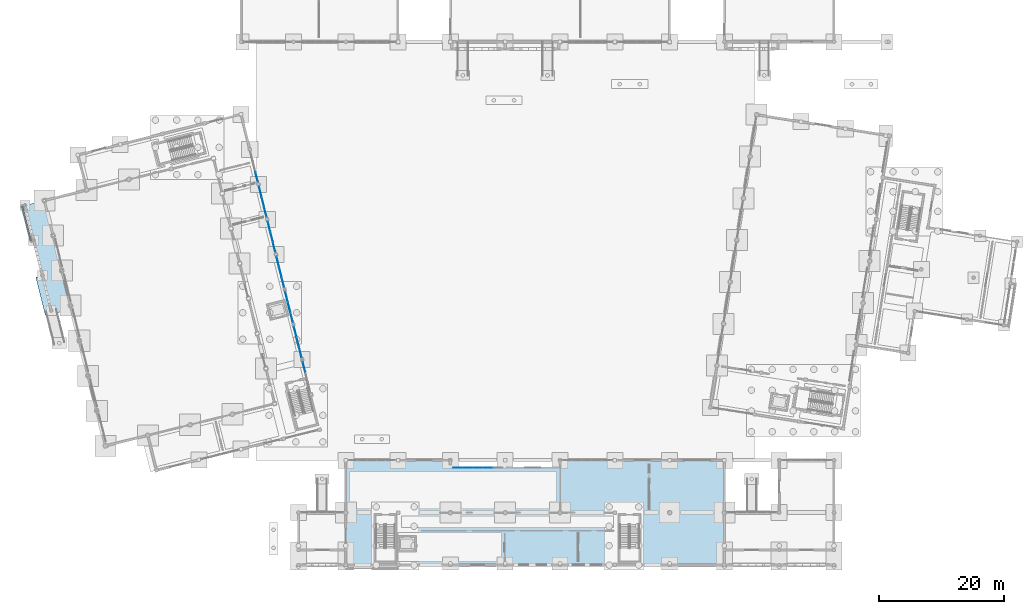
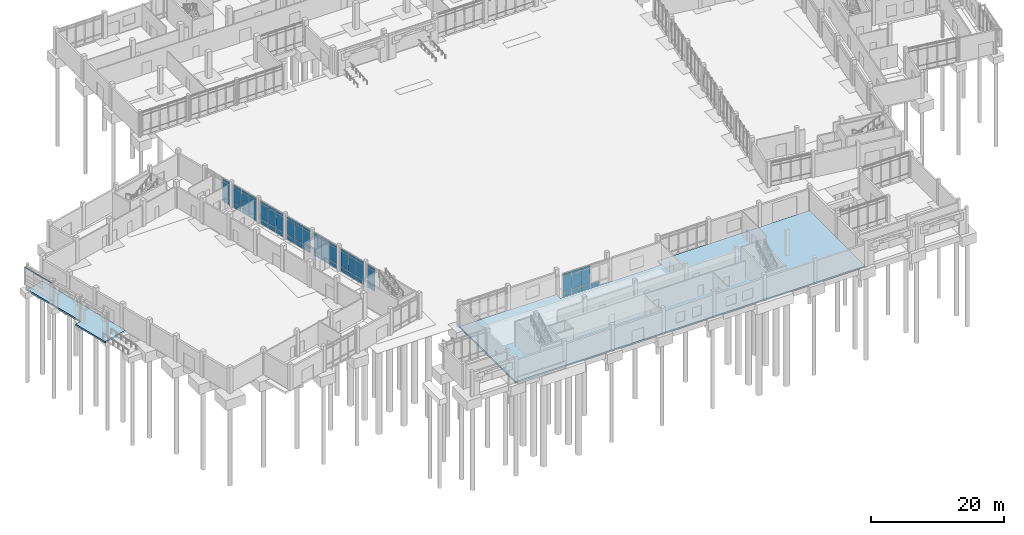
# One storey, part 33 of 72: 62 plates, 2 slabs, 8 elements without a shape of their own.
"""IFC4 building model written with IfcOpenShell, lengths in metres."""

import ifcopenshell
import ifcopenshell.guid

model = None  # the IFC model being written
_history = None  # IfcOwnerHistory: only IFC2X3 demands one
_inside = {}  # id of a spatial element -> (the spatial element, [elements in it])
_under = {}  # id of a project, library or spatial element -> (it, [spatial elements below it])
_declared = {}  # id of a project -> (the project, [libraries it declares])
_typed = {}  # id of a type object -> (the type object, [elements of that type])
_made_of = {}  # id of a material, layer set ... -> (it, [elements and type objects made of it])


def new_model(schema):
    """Start an empty IFC model of exactly this schema.

    Asked for "IFC4X3", IfcOpenShell would pick the latest addendum, in which some entities
    have other attributes; the version numbers below select the first issue.
    IFC2X3 requires an IfcOwnerHistory on every rooted entity: one is made here for all.
    """
    global model, _history
    if schema == "IFC4X3":
        model = ifcopenshell.file(schema_version=(4, 3, 0, 0))
    else:
        model = ifcopenshell.file(schema=schema)
    _inside.clear()
    _under.clear()
    _declared.clear()
    _typed.clear()
    _made_of.clear()
    _history = None
    if model.schema == "IFC2X3":
        org = make("IfcOrganization", Name="unknown")
        user = make(
            "IfcPersonAndOrganization",
            ThePerson=make("IfcPerson", FamilyName="unknown"),
            TheOrganization=org,
        )
        app = make(
            "IfcApplication",
            ApplicationDeveloper=org,
            Version="unknown",
            ApplicationFullName="unknown",
            ApplicationIdentifier="unknown",
        )
        _history = make(
            "IfcOwnerHistory",
            OwningUser=user,
            OwningApplication=app,
            ChangeAction="ADDED",
            CreationDate=0,
        )
    return model


def make(cls, **values):
    """One entity of the class cls with the attributes given. An attribute that is None is left unset."""
    return model.create_entity(
        cls, **{name: value for name, value in values.items() if value is not None}
    )


def rooted(cls, **values):
    """An entity with a GlobalId (a new one), such as an element, a storey or a relation."""
    return make(cls, GlobalId=ifcopenshell.guid.new(), OwnerHistory=_history, **values)


def si_unit(unit_type, name, prefix=None):
    """IfcSIUnit, for example si_unit("LENGTHUNIT", "METRE", prefix="MILLI")."""
    return make("IfcSIUnit", UnitType=unit_type, Prefix=prefix, Name=name)


def assignment(units):
    """IfcUnitAssignment: the units of a project."""
    return None if units is None else make("IfcUnitAssignment", Units=units)


def point(xyz):
    """IfcCartesianPoint."""
    return None if xyz is None else make("IfcCartesianPoint", Coordinates=xyz)


def direction(xyz):
    """IfcDirection."""
    return None if xyz is None else make("IfcDirection", DirectionRatios=xyz)


def frame(location, z_axis=None, x_axis=None):
    """IfcAxis2Placement3D, a coordinate frame: its origin and axes. An axis left out is left unset."""
    return make(
        "IfcAxis2Placement3D",
        Location=point(location),
        Axis=direction(z_axis),
        RefDirection=direction(x_axis),
    )


def frame_2d(location, x_axis=None):
    """IfcAxis2Placement2D, a coordinate frame in the plane: its origin and x axis."""
    return make(
        "IfcAxis2Placement2D", Location=point(location), RefDirection=direction(x_axis)
    )


def origin():
    """The frame at (0, 0, 0) with its axes left unset."""
    return frame((0.0, 0.0, 0.0))


def origin_2d():
    """The frame at (0, 0) in the plane with its x axis left unset."""
    return frame_2d((0.0, 0.0))


def place(relative_to, where):
    """IfcLocalPlacement: puts the frame where relative to a parent placement (None: the world)."""
    return make(
        "IfcLocalPlacement", PlacementRelTo=relative_to, RelativePlacement=where
    )


def context(
    kind, dimensions, precision=None, world=None, true_north=None, identifier=None
):
    """IfcGeometricRepresentationContext, for example the 3D "Model" context."""
    return make(
        "IfcGeometricRepresentationContext",
        ContextIdentifier=identifier,
        ContextType=kind,
        CoordinateSpaceDimension=dimensions,
        Precision=precision,
        WorldCoordinateSystem=world,
        TrueNorth=true_north,
    )


def subcontext(parent, identifier, kind, view, scale=None):
    """IfcGeometricRepresentationSubContext, for example "Body" below "Model"."""
    return make(
        "IfcGeometricRepresentationSubContext",
        ContextIdentifier=identifier,
        ContextType=kind,
        ParentContext=parent,
        TargetScale=scale,
        TargetView=view,
    )


def project(units=None, contexts=None):
    """IfcProject with its units and contexts."""
    return rooted(
        "IfcProject",
        Name="project",
        RepresentationContexts=contexts,
        UnitsInContext=assignment(units),
    )


def spatial(cls, under=None, at=None, **own):
    """A site, building, storey or space (cls), placed at a placement, below another one or the project."""
    s = rooted(cls, ObjectPlacement=at, **own)
    if under is not None:
        _under.setdefault(under.id(), (under, []))[1].append(s)
    return s


def polyline(points):
    """IfcPolyline through the points."""
    return make("IfcPolyline", Points=[point(p) for p in points])


def profile(cls, at=None, kind="AREA", **sizes):
    """A parametric profile (cls). Its sizes go by their IFC names, for example OverallWidth=200.0."""
    return make(cls, ProfileType=kind, Position=at, **sizes)


def rectangle(**sizes):
    """IfcRectangleProfileDef."""
    return profile("IfcRectangleProfileDef", **sizes)


def outline(outer, holes=None, kind="AREA"):
    """IfcArbitraryClosedProfileDef: a profile drawn as a closed curve; with holes, ...WithVoids."""
    if holes is None:
        return make("IfcArbitraryClosedProfileDef", ProfileType=kind, OuterCurve=outer)
    return make(
        "IfcArbitraryProfileDefWithVoids",
        ProfileType=kind,
        OuterCurve=outer,
        InnerCurves=holes,
    )


def extrude(swept, where, along, depth):
    """IfcExtrudedAreaSolid: the profile swept, set in the frame where, extruded along a direction by depth."""
    return make(
        "IfcExtrudedAreaSolid",
        SweptArea=swept,
        Position=where,
        ExtrudedDirection=direction(along),
        Depth=depth,
    )


def shape(context_of_items, identifier, shape_type, items):
    """IfcShapeRepresentation: the items that make up one representation, for example the "Body"."""
    return make(
        "IfcShapeRepresentation",
        ContextOfItems=context_of_items,
        RepresentationIdentifier=identifier,
        RepresentationType=shape_type,
        Items=items,
    )


def material(Name=None, Category=None):
    """IfcMaterial."""
    return make("IfcMaterial", Name=Name, Category=Category)


def layer(
    of_material, thickness, ventilated=None, Name=None, Category=None, Priority=None
):
    """IfcMaterialLayer: one layer of a wall or slab, of a material (None: an air gap)."""
    return make(
        "IfcMaterialLayer",
        Material=of_material,
        LayerThickness=thickness,
        IsVentilated=ventilated,
        Name=Name,
        Category=Category,
        Priority=Priority,
    )


def layer_set(layers, Name=None):
    """IfcMaterialLayerSet."""
    return make("IfcMaterialLayerSet", MaterialLayers=layers, LayerSetName=Name)


def made_of(thing, what):
    """Note that an element or type object is made of a material, layer set ...; save() writes the relation."""
    if what is not None:
        _made_of.setdefault(what.id(), (what, []))[1].append(thing)
    return thing


def type_object(cls, material=None, **own):
    """A type object (cls), such as IfcWallType, which elements share."""
    return made_of(rooted(cls, **own), material)


def element(
    cls,
    number,
    at=None,
    inside=None,
    cuts=None,
    type_object=None,
    material=None,
    context=None,
    identifier="Body",
    shape_type=None,
    held_by="IfcProductDefinitionShape",
    body=None,
    shapes=None,
    **own,
):
    """One element of the class cls, such as IfcWall. Its Tag is "e" and its number.

    at: its placement. inside: the storey or other place that contains it. cuts: it is an
    opening in that element (IfcRelVoidsElement). A single representation is given by context,
    identifier, shape_type and body (its items); several are given by shapes. held_by: the class
    of the entity that holds the representations. save() writes the other relations.
    """
    e = rooted(cls, Tag="e%d" % number, ObjectPlacement=at, **own)
    if body is not None:
        shapes = [shape(context, identifier, shape_type, body)]
    if shapes is not None:
        e.Representation = make(held_by, Representations=shapes)
    if inside is not None:
        _inside.setdefault(inside.id(), (inside, []))[1].append(e)
    if cuts is not None:
        rooted(
            "IfcRelVoidsElement", RelatingBuildingElement=cuts, RelatedOpeningElement=e
        )
    if type_object is not None:
        _typed.setdefault(type_object.id(), (type_object, []))[1].append(e)
    return made_of(e, material)


def aggregate(whole, parts):
    """IfcRelAggregates: a whole, such as a stair, and the parts it consists of."""
    return rooted("IfcRelAggregates", RelatingObject=whole, RelatedObjects=parts)


def save(model, path):
    """Write the relations noted so far, then the file.

    IfcRelAggregates (storeys below a building ...), IfcRelContainedInSpatialStructure (elements
    in a storey), IfcRelDefinesByType, IfcRelAssociatesMaterial and IfcRelDeclares: one each for
    every whole, place, type object, material and project.
    """
    for whole, parts in _under.values():
        aggregate(whole, parts)
    for where, things in _inside.values():
        rooted(
            "IfcRelContainedInSpatialStructure",
            RelatedElements=things,
            RelatingStructure=where,
        )
    for kind, things in _typed.values():
        rooted("IfcRelDefinesByType", RelatedObjects=things, RelatingType=kind)
    for what, things in _made_of.values():
        rooted("IfcRelAssociatesMaterial", RelatedObjects=things, RelatingMaterial=what)
    for by, libraries in _declared.values():
        rooted("IfcRelDeclares", RelatingContext=by, RelatedDefinitions=libraries)
    model.write(path)


model = new_model("IFC4")

# Units and contexts
model_context = context("Model", 3, precision=1e-05, world=origin(), true_north=direction((0.0, 1.0)))
body_context = subcontext(model_context, "Body", "Model", "MODEL_VIEW")
ifc_project = project(units=[si_unit("LENGTHUNIT", "METRE"), si_unit("AREAUNIT", "SQUARE_METRE"), si_unit("VOLUMEUNIT", "CUBIC_METRE"), si_unit("PLANEANGLEUNIT", "RADIAN"), si_unit("MASSUNIT", "GRAM", prefix="KILO")], contexts=[model_context])

# Site, building, storey
site_placement = place(None, origin())
site = spatial("IfcSite", under=ifc_project, at=site_placement, CompositionType="ELEMENT")
building_placement = place(site_placement, origin())
building = spatial("IfcBuilding", under=site, at=building_placement, Name="Cinderway Yard Community Centre", CompositionType="ELEMENT")
storey_placement = place(building_placement, origin())
storey = spatial("IfcBuildingStorey", under=building, at=storey_placement, Name="L00", CompositionType="ELEMENT", Elevation=0.0)

# Curtain wall, plates
ifc_material_1 = material(Name="Aluminium 6063-T6", Category="aluminium")
curtain_wall_type_1 = type_object("IfcCurtainWallType", Name="ENV-CW-TYPE-01", PredefinedType="USERDEFINED", material=ifc_material_1)
curtain_wall_1_placement = place(storey_placement, origin())
curtain_wall_1 = element("IfcCurtainWall", 1, at=curtain_wall_1_placement, inside=storey, type_object=curtain_wall_type_1, Name="Main Hall Courtyard Curtain Wall ENV-CW-L00-HS-0001", ObjectType="GLAZED CURTAIN WALL", PredefinedType="USERDEFINED")
ifc_material_2 = material(Name="Laminated Low-E Glass", Category="glass")
ifc_layer_1 = layer(ifc_material_2, 0.031982421875, Name="Laminated Low-E Glass")
ifc_layer_set_1 = layer_set([ifc_layer_1], Name="Laminated Low-E Glass")
plate_type_1 = type_object("IfcPlateType", Name="ENV-CW-PAN-IGU32", PredefinedType="CURTAIN_PANEL", material=ifc_layer_set_1)
plate_1_placement = place(storey_placement, frame((51.69140625, 37.78466796875, 0.06005859375), z_axis=(0.0, 0.0, 1.0), x_axis=(-0.241887234827, 0.97030436752, 0.0)))
plate_1 = element("IfcPlate", 2, at=plate_1_placement, type_object=plate_type_1, Name="CW-01 panel 3.1", PredefinedType="CURTAIN_PANEL", context=body_context, shape_type="SweptSolid", body=[
    extrude(rectangle(XDim=1.603515625, YDim=0.028076171875, at=origin_2d()), origin(), (0.0, 0.0, 1.0), 0.81005859375),
])
plate_2_placement = place(storey_placement, frame((51.69140625, 37.78466796875, 0.93017578125), z_axis=(0.0, 0.0, 1.0), x_axis=(-0.241887234827, 0.97030436752, 0.0)))
plate_2 = element("IfcPlate", 3, at=plate_2_placement, type_object=plate_type_1, Name="CW-01 panel 3.2", PredefinedType="CURTAIN_PANEL", context=body_context, shape_type="SweptSolid", body=[
    extrude(rectangle(XDim=1.603515625, YDim=0.028076171875, at=origin_2d()), origin(), (0.0, 0.0, 1.0), 2.840087890625),
])
plate_3_placement = place(storey_placement, frame((51.69140625, 37.78466796875, 3.830078125), z_axis=(0.0, 0.0, 1.0), x_axis=(-0.241887234827, 0.97030436752, 0.0)))
plate_3 = element("IfcPlate", 4, at=plate_3_placement, type_object=plate_type_1, Name="CW-01 panel 3.3", PredefinedType="CURTAIN_PANEL", context=body_context, shape_type="SweptSolid", body=[
    extrude(rectangle(XDim=1.603515625, YDim=0.028076171875, at=origin_2d()), origin(), (0.0, 0.0, 1.0), 0.4599609375),
])
aggregate(curtain_wall_1, [plate_1, plate_2, plate_3])

curtain_wall_2_placement = place(storey_placement, origin())
curtain_wall_2 = element("IfcCurtainWall", 5, at=curtain_wall_2_placement, inside=storey, type_object=curtain_wall_type_1, Name="Main Hall Courtyard Curtain Wall ENV-CW-L00-HS-0002", ObjectType="GLAZED CURTAIN WALL", PredefinedType="USERDEFINED")
plate_4_placement = place(storey_placement, frame((51.1005859375, 40.1552734375, 0.06005859375), z_axis=(0.0, 0.0, 1.0), x_axis=(-0.241887234827, 0.97030436752, 0.0)))
plate_4 = element("IfcPlate", 6, at=plate_4_placement, type_object=plate_type_1, Name="CW-01 panel 1.1", PredefinedType="CURTAIN_PANEL", context=body_context, shape_type="SweptSolid", body=[
    extrude(rectangle(XDim=1.603515625, YDim=0.028076171875, at=origin_2d()), origin(), (0.0, 0.0, 1.0), 0.81005859375),
])
plate_5_placement = place(storey_placement, frame((51.1005859375, 40.1552734375, 0.93017578125), z_axis=(0.0, 0.0, 1.0), x_axis=(-0.241887234827, 0.97030436752, 0.0)))
plate_5 = element("IfcPlate", 7, at=plate_5_placement, type_object=plate_type_1, Name="CW-01 panel 1.2", PredefinedType="CURTAIN_PANEL", context=body_context, shape_type="SweptSolid", body=[
    extrude(rectangle(XDim=1.603515625, YDim=0.028076171875, at=origin_2d()), origin(), (0.0, 0.0, 1.0), 2.840087890625),
])
plate_6_placement = place(storey_placement, frame((51.1005859375, 40.1552734375, 3.830078125), z_axis=(0.0, 0.0, 1.0), x_axis=(-0.241887234827, 0.97030436752, 0.0)))
plate_6 = element("IfcPlate", 8, at=plate_6_placement, type_object=plate_type_1, Name="CW-01 panel 1.3", PredefinedType="CURTAIN_PANEL", context=body_context, shape_type="SweptSolid", body=[
    extrude(rectangle(XDim=1.603515625, YDim=0.028076171875, at=origin_2d()), origin(), (0.0, 0.0, 1.0), 0.4599609375),
])
plate_7_placement = place(storey_placement, frame((50.694580078125, 41.783935546875, 0.06005859375), z_axis=(0.0, 0.0, 1.0), x_axis=(-0.241887234827, 0.97030436752, 0.0)))
plate_7 = element("IfcPlate", 9, at=plate_7_placement, type_object=plate_type_1, Name="CW-01 panel 2.1", PredefinedType="CURTAIN_PANEL", context=body_context, shape_type="SweptSolid", body=[
    extrude(rectangle(XDim=1.633544921875, YDim=0.028076171875, at=origin_2d()), origin(), (0.0, 0.0, 1.0), 0.81005859375),
])
plate_8_placement = place(storey_placement, frame((50.694580078125, 41.783935546875, 0.93017578125), z_axis=(0.0, 0.0, 1.0), x_axis=(-0.241887234827, 0.97030436752, 0.0)))
plate_8 = element("IfcPlate", 10, at=plate_8_placement, type_object=plate_type_1, Name="CW-01 panel 2.2", PredefinedType="CURTAIN_PANEL", context=body_context, shape_type="SweptSolid", body=[
    extrude(rectangle(XDim=1.633544921875, YDim=0.028076171875, at=origin_2d()), origin(), (0.0, 0.0, 1.0), 2.840087890625),
])
plate_9_placement = place(storey_placement, frame((50.694580078125, 41.783935546875, 3.830078125), z_axis=(0.0, 0.0, 1.0), x_axis=(-0.241887234827, 0.97030436752, 0.0)))
plate_9 = element("IfcPlate", 11, at=plate_9_placement, type_object=plate_type_1, Name="CW-01 panel 2.3", PredefinedType="CURTAIN_PANEL", context=body_context, shape_type="SweptSolid", body=[
    extrude(rectangle(XDim=1.633544921875, YDim=0.028076171875, at=origin_2d()), origin(), (0.0, 0.0, 1.0), 0.4599609375),
])
plate_10_placement = place(storey_placement, frame((50.28857421875, 43.412841796875, 0.06005859375), z_axis=(0.0, 0.0, 1.0), x_axis=(-0.241887234827, 0.97030436752, 0.0)))
plate_10 = element("IfcPlate", 12, at=plate_10_placement, type_object=plate_type_1, Name="CW-01 panel 3.1", PredefinedType="CURTAIN_PANEL", context=body_context, shape_type="SweptSolid", body=[
    extrude(rectangle(XDim=1.603515625, YDim=0.028076171875, at=origin_2d()), origin(), (0.0, 0.0, 1.0), 0.81005859375),
])
plate_11_placement = place(storey_placement, frame((50.28857421875, 43.412841796875, 0.93017578125), z_axis=(0.0, 0.0, 1.0), x_axis=(-0.241887234827, 0.97030436752, 0.0)))
plate_11 = element("IfcPlate", 13, at=plate_11_placement, type_object=plate_type_1, Name="CW-01 panel 3.2", PredefinedType="CURTAIN_PANEL", context=body_context, shape_type="SweptSolid", body=[
    extrude(rectangle(XDim=1.603515625, YDim=0.028076171875, at=origin_2d()), origin(), (0.0, 0.0, 1.0), 2.840087890625),
])
plate_12_placement = place(storey_placement, frame((50.28857421875, 43.412841796875, 3.830078125), z_axis=(0.0, 0.0, 1.0), x_axis=(-0.241887234827, 0.97030436752, 0.0)))
plate_12 = element("IfcPlate", 14, at=plate_12_placement, type_object=plate_type_1, Name="CW-01 panel 3.3", PredefinedType="CURTAIN_PANEL", context=body_context, shape_type="SweptSolid", body=[
    extrude(rectangle(XDim=1.603515625, YDim=0.028076171875, at=origin_2d()), origin(), (0.0, 0.0, 1.0), 0.4599609375),
])
aggregate(curtain_wall_2, [plate_4, plate_5, plate_6, plate_7, plate_8, plate_9, plate_10, plate_11, plate_12])

curtain_wall_3_placement = place(storey_placement, origin())
curtain_wall_3 = element("IfcCurtainWall", 15, at=curtain_wall_3_placement, inside=storey, type_object=curtain_wall_type_1, Name="Main Hall Courtyard Curtain Wall ENV-CW-L00-HS-0003", ObjectType="GLAZED CURTAIN WALL", PredefinedType="USERDEFINED")
plate_13_placement = place(storey_placement, frame((49.697509765625, 45.782958984375, 0.06005859375), z_axis=(0.0, 0.0, 1.0), x_axis=(-0.241933436991, 0.970292848611, 0.0)))
plate_13 = element("IfcPlate", 16, at=plate_13_placement, type_object=plate_type_1, Name="CW-01 panel 1.1", PredefinedType="CURTAIN_PANEL", context=body_context, shape_type="SweptSolid", body=[
    extrude(rectangle(XDim=1.603271484375, YDim=0.028076171875, at=origin_2d()), origin(), (0.0, 0.0, 1.0), 0.81005859375),
])
plate_14_placement = place(storey_placement, frame((49.697509765625, 45.782958984375, 0.93017578125), z_axis=(0.0, 0.0, 1.0), x_axis=(-0.241933436991, 0.970292848611, 0.0)))
plate_14 = element("IfcPlate", 17, at=plate_14_placement, type_object=plate_type_1, Name="CW-01 panel 1.2", PredefinedType="CURTAIN_PANEL", context=body_context, shape_type="SweptSolid", body=[
    extrude(rectangle(XDim=1.603271484375, YDim=0.028076171875, at=origin_2d()), origin(), (0.0, 0.0, 1.0), 2.840087890625),
])
plate_15_placement = place(storey_placement, frame((49.697509765625, 45.782958984375, 3.830078125), z_axis=(0.0, 0.0, 1.0), x_axis=(-0.241933436991, 0.970292848611, 0.0)))
plate_15 = element("IfcPlate", 18, at=plate_15_placement, type_object=plate_type_1, Name="CW-01 panel 1.3", PredefinedType="CURTAIN_PANEL", context=body_context, shape_type="SweptSolid", body=[
    extrude(rectangle(XDim=1.603271484375, YDim=0.028076171875, at=origin_2d()), origin(), (0.0, 0.0, 1.0), 0.4599609375),
])
plate_16_placement = place(storey_placement, frame((49.29150390625, 47.41162109375, 0.06005859375), z_axis=(0.0, 0.0, 1.0), x_axis=(-0.241933436991, 0.970292848611, 0.0)))
plate_16 = element("IfcPlate", 19, at=plate_16_placement, type_object=plate_type_1, Name="CW-01 panel 2.1", PredefinedType="CURTAIN_PANEL", context=body_context, shape_type="SweptSolid", body=[
    extrude(rectangle(XDim=1.63330078125, YDim=0.028076171875, at=origin_2d()), origin(), (0.0, 0.0, 1.0), 0.81005859375),
])
plate_17_placement = place(storey_placement, frame((49.29150390625, 47.41162109375, 0.93017578125), z_axis=(0.0, 0.0, 1.0), x_axis=(-0.241933436991, 0.970292848611, 0.0)))
plate_17 = element("IfcPlate", 20, at=plate_17_placement, type_object=plate_type_1, Name="CW-01 panel 2.2", PredefinedType="CURTAIN_PANEL", context=body_context, shape_type="SweptSolid", body=[
    extrude(rectangle(XDim=1.63330078125, YDim=0.028076171875, at=origin_2d()), origin(), (0.0, 0.0, 1.0), 2.840087890625),
])
plate_18_placement = place(storey_placement, frame((49.29150390625, 47.41162109375, 3.830078125), z_axis=(0.0, 0.0, 1.0), x_axis=(-0.241933436991, 0.970292848611, 0.0)))
plate_18 = element("IfcPlate", 21, at=plate_18_placement, type_object=plate_type_1, Name="CW-01 panel 2.3", PredefinedType="CURTAIN_PANEL", context=body_context, shape_type="SweptSolid", body=[
    extrude(rectangle(XDim=1.63330078125, YDim=0.028076171875, at=origin_2d()), origin(), (0.0, 0.0, 1.0), 0.4599609375),
])
plate_19_placement = place(storey_placement, frame((48.885498046875, 49.0400390625, 0.06005859375), z_axis=(0.0, 0.0, 1.0), x_axis=(-0.241933436991, 0.970292848611, 0.0)))
plate_19 = element("IfcPlate", 22, at=plate_19_placement, type_object=plate_type_1, Name="CW-01 panel 3.1", PredefinedType="CURTAIN_PANEL", context=body_context, shape_type="SweptSolid", body=[
    extrude(rectangle(XDim=1.603271484375, YDim=0.028076171875, at=origin_2d()), origin(), (0.0, 0.0, 1.0), 0.81005859375),
])
plate_20_placement = place(storey_placement, frame((48.885498046875, 49.0400390625, 0.93017578125), z_axis=(0.0, 0.0, 1.0), x_axis=(-0.241933436991, 0.970292848611, 0.0)))
plate_20 = element("IfcPlate", 23, at=plate_20_placement, type_object=plate_type_1, Name="CW-01 panel 3.2", PredefinedType="CURTAIN_PANEL", context=body_context, shape_type="SweptSolid", body=[
    extrude(rectangle(XDim=1.603271484375, YDim=0.028076171875, at=origin_2d()), origin(), (0.0, 0.0, 1.0), 2.840087890625),
])
plate_21_placement = place(storey_placement, frame((48.885498046875, 49.0400390625, 3.830078125), z_axis=(0.0, 0.0, 1.0), x_axis=(-0.241933436991, 0.970292848611, 0.0)))
plate_21 = element("IfcPlate", 24, at=plate_21_placement, type_object=plate_type_1, Name="CW-01 panel 3.3", PredefinedType="CURTAIN_PANEL", context=body_context, shape_type="SweptSolid", body=[
    extrude(rectangle(XDim=1.603271484375, YDim=0.028076171875, at=origin_2d()), origin(), (0.0, 0.0, 1.0), 0.4599609375),
])
aggregate(curtain_wall_3, [plate_13, plate_14, plate_15, plate_16, plate_17, plate_18, plate_19, plate_20, plate_21])

curtain_wall_4_placement = place(storey_placement, origin())
curtain_wall_4 = element("IfcCurtainWall", 25, at=curtain_wall_4_placement, inside=storey, type_object=curtain_wall_type_1, Name="Main Hall Courtyard Curtain Wall ENV-CW-L00-HS-0004", ObjectType="GLAZED CURTAIN WALL", PredefinedType="USERDEFINED")
plate_22_placement = place(storey_placement, frame((48.29443359375, 51.41015625, 0.06005859375), z_axis=(0.0, 0.0, 1.0), x_axis=(-0.241887234827, 0.97030436752, 0.0)))
plate_22 = element("IfcPlate", 26, at=plate_22_placement, type_object=plate_type_1, Name="CW-01 panel 1.1", PredefinedType="CURTAIN_PANEL", context=body_context, shape_type="SweptSolid", body=[
    extrude(rectangle(XDim=1.603515625, YDim=0.028076171875, at=origin_2d()), origin(), (0.0, 0.0, 1.0), 0.81005859375),
])
plate_23_placement = place(storey_placement, frame((48.29443359375, 51.41015625, 0.93017578125), z_axis=(0.0, 0.0, 1.0), x_axis=(-0.241887234827, 0.97030436752, 0.0)))
plate_23 = element("IfcPlate", 27, at=plate_23_placement, type_object=plate_type_1, Name="CW-01 panel 1.2", PredefinedType="CURTAIN_PANEL", context=body_context, shape_type="SweptSolid", body=[
    extrude(rectangle(XDim=1.603515625, YDim=0.028076171875, at=origin_2d()), origin(), (0.0, 0.0, 1.0), 2.840087890625),
])
plate_24_placement = place(storey_placement, frame((48.29443359375, 51.41015625, 3.830078125), z_axis=(0.0, 0.0, 1.0), x_axis=(-0.241887234827, 0.97030436752, 0.0)))
plate_24 = element("IfcPlate", 28, at=plate_24_placement, type_object=plate_type_1, Name="CW-01 panel 1.3", PredefinedType="CURTAIN_PANEL", context=body_context, shape_type="SweptSolid", body=[
    extrude(rectangle(XDim=1.603515625, YDim=0.028076171875, at=origin_2d()), origin(), (0.0, 0.0, 1.0), 0.4599609375),
])
plate_25_placement = place(storey_placement, frame((47.888427734375, 53.0390625, 0.06005859375), z_axis=(0.0, 0.0, 1.0), x_axis=(-0.241887234827, 0.97030436752, 0.0)))
plate_25 = element("IfcPlate", 29, at=plate_25_placement, type_object=plate_type_1, Name="CW-01 panel 2.1", PredefinedType="CURTAIN_PANEL", context=body_context, shape_type="SweptSolid", body=[
    extrude(rectangle(XDim=1.633544921875, YDim=0.028076171875, at=origin_2d()), origin(), (0.0, 0.0, 1.0), 0.81005859375),
])
plate_26_placement = place(storey_placement, frame((47.888427734375, 53.0390625, 0.93017578125), z_axis=(0.0, 0.0, 1.0), x_axis=(-0.241887234827, 0.97030436752, 0.0)))
plate_26 = element("IfcPlate", 30, at=plate_26_placement, type_object=plate_type_1, Name="CW-01 panel 2.2", PredefinedType="CURTAIN_PANEL", context=body_context, shape_type="SweptSolid", body=[
    extrude(rectangle(XDim=1.633544921875, YDim=0.028076171875, at=origin_2d()), origin(), (0.0, 0.0, 1.0), 2.840087890625),
])
plate_27_placement = place(storey_placement, frame((47.888427734375, 53.0390625, 3.830078125), z_axis=(0.0, 0.0, 1.0), x_axis=(-0.241887234827, 0.97030436752, 0.0)))
plate_27 = element("IfcPlate", 31, at=plate_27_placement, type_object=plate_type_1, Name="CW-01 panel 2.3", PredefinedType="CURTAIN_PANEL", context=body_context, shape_type="SweptSolid", body=[
    extrude(rectangle(XDim=1.633544921875, YDim=0.028076171875, at=origin_2d()), origin(), (0.0, 0.0, 1.0), 0.4599609375),
])
plate_28_placement = place(storey_placement, frame((47.482421875, 54.667724609375, 0.06005859375), z_axis=(0.0, 0.0, 1.0), x_axis=(-0.241887234827, 0.97030436752, 0.0)))
plate_28 = element("IfcPlate", 32, at=plate_28_placement, type_object=plate_type_1, Name="CW-01 panel 3.1", PredefinedType="CURTAIN_PANEL", context=body_context, shape_type="SweptSolid", body=[
    extrude(rectangle(XDim=1.603515625, YDim=0.028076171875, at=origin_2d()), origin(), (0.0, 0.0, 1.0), 0.81005859375),
])
plate_29_placement = place(storey_placement, frame((47.482421875, 54.667724609375, 0.93017578125), z_axis=(0.0, 0.0, 1.0), x_axis=(-0.241887234827, 0.97030436752, 0.0)))
plate_29 = element("IfcPlate", 33, at=plate_29_placement, type_object=plate_type_1, Name="CW-01 panel 3.2", PredefinedType="CURTAIN_PANEL", context=body_context, shape_type="SweptSolid", body=[
    extrude(rectangle(XDim=1.603515625, YDim=0.028076171875, at=origin_2d()), origin(), (0.0, 0.0, 1.0), 2.840087890625),
])
plate_30_placement = place(storey_placement, frame((47.482421875, 54.667724609375, 3.830078125), z_axis=(0.0, 0.0, 1.0), x_axis=(-0.241887234827, 0.97030436752, 0.0)))
plate_30 = element("IfcPlate", 34, at=plate_30_placement, type_object=plate_type_1, Name="CW-01 panel 3.3", PredefinedType="CURTAIN_PANEL", context=body_context, shape_type="SweptSolid", body=[
    extrude(rectangle(XDim=1.603515625, YDim=0.028076171875, at=origin_2d()), origin(), (0.0, 0.0, 1.0), 0.4599609375),
])
aggregate(curtain_wall_4, [plate_22, plate_23, plate_24, plate_25, plate_26, plate_27, plate_28, plate_29, plate_30])

curtain_wall_5_placement = place(storey_placement, origin())
curtain_wall_5 = element("IfcCurtainWall", 35, at=curtain_wall_5_placement, inside=storey, type_object=curtain_wall_type_1, Name="Main Hall Courtyard Curtain Wall ENV-CW-L00-HS-0005", ObjectType="GLAZED CURTAIN WALL", PredefinedType="USERDEFINED")
plate_31_placement = place(storey_placement, frame((46.8916015625, 57.038330078125, 0.06005859375), z_axis=(0.0, 0.0, 1.0), x_axis=(-0.241887234827, 0.97030436752, 0.0)))
plate_31 = element("IfcPlate", 36, at=plate_31_placement, type_object=plate_type_1, Name="CW-01 panel 1.1", PredefinedType="CURTAIN_PANEL", context=body_context, shape_type="SweptSolid", body=[
    extrude(rectangle(XDim=1.603515625, YDim=0.028076171875, at=origin_2d()), origin(), (0.0, 0.0, 1.0), 0.81005859375),
])
plate_32_placement = place(storey_placement, frame((46.8916015625, 57.038330078125, 0.93017578125), z_axis=(0.0, 0.0, 1.0), x_axis=(-0.241887234827, 0.97030436752, 0.0)))
plate_32 = element("IfcPlate", 37, at=plate_32_placement, type_object=plate_type_1, Name="CW-01 panel 1.2", PredefinedType="CURTAIN_PANEL", context=body_context, shape_type="SweptSolid", body=[
    extrude(rectangle(XDim=1.603515625, YDim=0.028076171875, at=origin_2d()), origin(), (0.0, 0.0, 1.0), 2.840087890625),
])
plate_33_placement = place(storey_placement, frame((46.8916015625, 57.038330078125, 3.830078125), z_axis=(0.0, 0.0, 1.0), x_axis=(-0.241887234827, 0.97030436752, 0.0)))
plate_33 = element("IfcPlate", 38, at=plate_33_placement, type_object=plate_type_1, Name="CW-01 panel 1.3", PredefinedType="CURTAIN_PANEL", context=body_context, shape_type="SweptSolid", body=[
    extrude(rectangle(XDim=1.603515625, YDim=0.028076171875, at=origin_2d()), origin(), (0.0, 0.0, 1.0), 0.4599609375),
])
plate_34_placement = place(storey_placement, frame((46.485595703125, 58.6669921875, 0.06005859375), z_axis=(0.0, 0.0, 1.0), x_axis=(-0.241887234827, 0.97030436752, 0.0)))
plate_34 = element("IfcPlate", 39, at=plate_34_placement, type_object=plate_type_1, Name="CW-01 panel 2.1", PredefinedType="CURTAIN_PANEL", context=body_context, shape_type="SweptSolid", body=[
    extrude(rectangle(XDim=1.633544921875, YDim=0.028076171875, at=origin_2d()), origin(), (0.0, 0.0, 1.0), 0.81005859375),
])
plate_35_placement = place(storey_placement, frame((46.485595703125, 58.6669921875, 0.93017578125), z_axis=(0.0, 0.0, 1.0), x_axis=(-0.241887234827, 0.97030436752, 0.0)))
plate_35 = element("IfcPlate", 40, at=plate_35_placement, type_object=plate_type_1, Name="CW-01 panel 2.2", PredefinedType="CURTAIN_PANEL", context=body_context, shape_type="SweptSolid", body=[
    extrude(rectangle(XDim=1.633544921875, YDim=0.028076171875, at=origin_2d()), origin(), (0.0, 0.0, 1.0), 2.840087890625),
])
plate_36_placement = place(storey_placement, frame((46.485595703125, 58.6669921875, 3.830078125), z_axis=(0.0, 0.0, 1.0), x_axis=(-0.241887234827, 0.97030436752, 0.0)))
plate_36 = element("IfcPlate", 41, at=plate_36_placement, type_object=plate_type_1, Name="CW-01 panel 2.3", PredefinedType="CURTAIN_PANEL", context=body_context, shape_type="SweptSolid", body=[
    extrude(rectangle(XDim=1.633544921875, YDim=0.028076171875, at=origin_2d()), origin(), (0.0, 0.0, 1.0), 0.4599609375),
])
plate_37_placement = place(storey_placement, frame((46.079345703125, 60.2958984375, 0.06005859375), z_axis=(0.0, 0.0, 1.0), x_axis=(-0.241887234827, 0.97030436752, 0.0)))
plate_37 = element("IfcPlate", 42, at=plate_37_placement, type_object=plate_type_1, Name="CW-01 panel 3.1", PredefinedType="CURTAIN_PANEL", context=body_context, shape_type="SweptSolid", body=[
    extrude(rectangle(XDim=1.603515625, YDim=0.028076171875, at=origin_2d()), origin(), (0.0, 0.0, 1.0), 0.81005859375),
])
plate_38_placement = place(storey_placement, frame((46.079345703125, 60.2958984375, 0.93017578125), z_axis=(0.0, 0.0, 1.0), x_axis=(-0.241887234827, 0.97030436752, 0.0)))
plate_38 = element("IfcPlate", 43, at=plate_38_placement, type_object=plate_type_1, Name="CW-01 panel 3.2", PredefinedType="CURTAIN_PANEL", context=body_context, shape_type="SweptSolid", body=[
    extrude(rectangle(XDim=1.603515625, YDim=0.028076171875, at=origin_2d()), origin(), (0.0, 0.0, 1.0), 2.840087890625),
])
plate_39_placement = place(storey_placement, frame((46.079345703125, 60.2958984375, 3.830078125), z_axis=(0.0, 0.0, 1.0), x_axis=(-0.241887234827, 0.97030436752, 0.0)))
plate_39 = element("IfcPlate", 44, at=plate_39_placement, type_object=plate_type_1, Name="CW-01 panel 3.3", PredefinedType="CURTAIN_PANEL", context=body_context, shape_type="SweptSolid", body=[
    extrude(rectangle(XDim=1.603515625, YDim=0.028076171875, at=origin_2d()), origin(), (0.0, 0.0, 1.0), 0.4599609375),
])
aggregate(curtain_wall_5, [plate_31, plate_32, plate_33, plate_34, plate_35, plate_36, plate_37, plate_38, plate_39])

curtain_wall_6_placement = place(storey_placement, origin())
curtain_wall_6 = element("IfcCurtainWall", 45, at=curtain_wall_6_placement, inside=storey, type_object=curtain_wall_type_1, Name="Main Hall Courtyard Curtain Wall ENV-CW-L00-HS-0006", ObjectType="GLAZED CURTAIN WALL", PredefinedType="USERDEFINED")
plate_40_placement = place(storey_placement, frame((45.488525390625, 62.666015625, 0.06005859375), z_axis=(0.0, 0.0, 1.0), x_axis=(-0.241933436991, 0.970292848611, 0.0)))
plate_40 = element("IfcPlate", 46, at=plate_40_placement, type_object=plate_type_1, Name="CW-01 panel 1.1", PredefinedType="CURTAIN_PANEL", context=body_context, shape_type="SweptSolid", body=[
    extrude(rectangle(XDim=1.603271484375, YDim=0.028076171875, at=origin_2d()), origin(), (0.0, 0.0, 1.0), 0.81005859375),
])
plate_41_placement = place(storey_placement, frame((45.488525390625, 62.666015625, 0.93017578125), z_axis=(0.0, 0.0, 1.0), x_axis=(-0.241933436991, 0.970292848611, 0.0)))
plate_41 = element("IfcPlate", 47, at=plate_41_placement, type_object=plate_type_1, Name="CW-01 panel 1.2", PredefinedType="CURTAIN_PANEL", context=body_context, shape_type="SweptSolid", body=[
    extrude(rectangle(XDim=1.603271484375, YDim=0.028076171875, at=origin_2d()), origin(), (0.0, 0.0, 1.0), 2.840087890625),
])
plate_42_placement = place(storey_placement, frame((45.488525390625, 62.666015625, 3.830078125), z_axis=(0.0, 0.0, 1.0), x_axis=(-0.241933436991, 0.970292848611, 0.0)))
plate_42 = element("IfcPlate", 48, at=plate_42_placement, type_object=plate_type_1, Name="CW-01 panel 1.3", PredefinedType="CURTAIN_PANEL", context=body_context, shape_type="SweptSolid", body=[
    extrude(rectangle(XDim=1.603271484375, YDim=0.028076171875, at=origin_2d()), origin(), (0.0, 0.0, 1.0), 0.4599609375),
])
plate_43_placement = place(storey_placement, frame((45.08251953125, 64.29443359375, 0.06005859375), z_axis=(0.0, 0.0, 1.0), x_axis=(-0.241933436991, 0.970292848611, 0.0)))
plate_43 = element("IfcPlate", 49, at=plate_43_placement, type_object=plate_type_1, Name="CW-01 panel 2.1", PredefinedType="CURTAIN_PANEL", context=body_context, shape_type="SweptSolid", body=[
    extrude(rectangle(XDim=1.63330078125, YDim=0.028076171875, at=origin_2d()), origin(), (0.0, 0.0, 1.0), 0.81005859375),
])
plate_44_placement = place(storey_placement, frame((45.08251953125, 64.29443359375, 0.93017578125), z_axis=(0.0, 0.0, 1.0), x_axis=(-0.241933436991, 0.970292848611, 0.0)))
plate_44 = element("IfcPlate", 50, at=plate_44_placement, type_object=plate_type_1, Name="CW-01 panel 2.2", PredefinedType="CURTAIN_PANEL", context=body_context, shape_type="SweptSolid", body=[
    extrude(rectangle(XDim=1.63330078125, YDim=0.028076171875, at=origin_2d()), origin(), (0.0, 0.0, 1.0), 2.840087890625),
])
plate_45_placement = place(storey_placement, frame((45.08251953125, 64.29443359375, 3.830078125), z_axis=(0.0, 0.0, 1.0), x_axis=(-0.241933436991, 0.970292848611, 0.0)))
plate_45 = element("IfcPlate", 51, at=plate_45_placement, type_object=plate_type_1, Name="CW-01 panel 2.3", PredefinedType="CURTAIN_PANEL", context=body_context, shape_type="SweptSolid", body=[
    extrude(rectangle(XDim=1.63330078125, YDim=0.028076171875, at=origin_2d()), origin(), (0.0, 0.0, 1.0), 0.4599609375),
])
plate_46_placement = place(storey_placement, frame((44.676513671875, 65.9228515625, 0.06005859375), z_axis=(0.0, 0.0, 1.0), x_axis=(-0.241933436991, 0.970292848611, 0.0)))
plate_46 = element("IfcPlate", 52, at=plate_46_placement, type_object=plate_type_1, Name="CW-01 panel 3.1", PredefinedType="CURTAIN_PANEL", context=body_context, shape_type="SweptSolid", body=[
    extrude(rectangle(XDim=1.603271484375, YDim=0.028076171875, at=origin_2d()), origin(), (0.0, 0.0, 1.0), 0.81005859375),
])
plate_47_placement = place(storey_placement, frame((44.676513671875, 65.9228515625, 0.93017578125), z_axis=(0.0, 0.0, 1.0), x_axis=(-0.241933436991, 0.970292848611, 0.0)))
plate_47 = element("IfcPlate", 53, at=plate_47_placement, type_object=plate_type_1, Name="CW-01 panel 3.2", PredefinedType="CURTAIN_PANEL", context=body_context, shape_type="SweptSolid", body=[
    extrude(rectangle(XDim=1.603271484375, YDim=0.028076171875, at=origin_2d()), origin(), (0.0, 0.0, 1.0), 2.840087890625),
])
plate_48_placement = place(storey_placement, frame((44.676513671875, 65.9228515625, 3.830078125), z_axis=(0.0, 0.0, 1.0), x_axis=(-0.241933436991, 0.970292848611, 0.0)))
plate_48 = element("IfcPlate", 54, at=plate_48_placement, type_object=plate_type_1, Name="CW-01 panel 3.3", PredefinedType="CURTAIN_PANEL", context=body_context, shape_type="SweptSolid", body=[
    extrude(rectangle(XDim=1.603271484375, YDim=0.028076171875, at=origin_2d()), origin(), (0.0, 0.0, 1.0), 0.4599609375),
])
aggregate(curtain_wall_6, [plate_40, plate_41, plate_42, plate_43, plate_44, plate_45, plate_46, plate_47, plate_48])

curtain_wall_7_placement = place(storey_placement, origin())
curtain_wall_7 = element("IfcCurtainWall", 55, at=curtain_wall_7_placement, inside=storey, type_object=curtain_wall_type_1, Name="Main Hall Courtyard Curtain Wall ENV-CW-L00-HS-0007", ObjectType="GLAZED CURTAIN WALL", PredefinedType="USERDEFINED")
plate_49_placement = place(storey_placement, frame((44.08544921875, 68.293212890625, 0.06005859375), z_axis=(0.0, 0.0, 1.0), x_axis=(-0.242072522276, 0.970258158409, 0.0)))
plate_49 = element("IfcPlate", 56, at=plate_49_placement, type_object=plate_type_1, Name="CW-01 panel 1.1", PredefinedType="CURTAIN_PANEL", context=body_context, shape_type="SweptSolid", body=[
    extrude(rectangle(XDim=1.603759765625, YDim=0.028076171875, at=origin_2d()), origin(), (0.0, 0.0, 1.0), 0.81005859375),
])
plate_50_placement = place(storey_placement, frame((44.08544921875, 68.293212890625, 0.93017578125), z_axis=(0.0, 0.0, 1.0), x_axis=(-0.242072522276, 0.970258158409, 0.0)))
plate_50 = element("IfcPlate", 57, at=plate_50_placement, type_object=plate_type_1, Name="CW-01 panel 1.2", PredefinedType="CURTAIN_PANEL", context=body_context, shape_type="SweptSolid", body=[
    extrude(rectangle(XDim=1.603759765625, YDim=0.028076171875, at=origin_2d()), origin(), (0.0, 0.0, 1.0), 2.840087890625),
])
plate_51_placement = place(storey_placement, frame((44.08544921875, 68.293212890625, 3.830078125), z_axis=(0.0, 0.0, 1.0), x_axis=(-0.242072522276, 0.970258158409, 0.0)))
plate_51 = element("IfcPlate", 58, at=plate_51_placement, type_object=plate_type_1, Name="CW-01 panel 1.3", PredefinedType="CURTAIN_PANEL", context=body_context, shape_type="SweptSolid", body=[
    extrude(rectangle(XDim=1.603759765625, YDim=0.028076171875, at=origin_2d()), origin(), (0.0, 0.0, 1.0), 0.4599609375),
])
aggregate(curtain_wall_7, [plate_49, plate_50, plate_51])

curtain_wall_type_2 = type_object("IfcCurtainWallType", Name="ENV-CW-TYPE-25", PredefinedType="USERDEFINED", material=ifc_material_1)
curtain_wall_8_placement = place(storey_placement, origin())
curtain_wall_8 = element("IfcCurtainWall", 59, at=curtain_wall_8_placement, inside=storey, type_object=curtain_wall_type_2, Name="Dining Courtyard Curtain Wall ENV-CW-L00-HS-0091", ObjectType="GLAZED CURTAIN WALL", PredefinedType="USERDEFINED")
plate_52_placement = place(storey_placement, frame((76.39892578125, 21.60009765625, 0.06005859375), z_axis=(0.0, 0.0, 1.0), x_axis=(1.0, 0.0, 0.0)))
plate_52 = element("IfcPlate", 60, at=plate_52_placement, type_object=plate_type_1, Name="CW-25 panel 1.1", PredefinedType="CURTAIN_PANEL", context=body_context, shape_type="SweptSolid", body=[
    extrude(rectangle(XDim=1.51806640625, YDim=0.028076171875, at=origin_2d()), origin(), (0.0, 0.0, 1.0), 0.81005859375),
])
plate_53_placement = place(storey_placement, frame((76.39892578125, 21.60009765625, 0.93017578125), z_axis=(0.0, 0.0, 1.0), x_axis=(1.0, 0.0, 0.0)))
plate_53 = element("IfcPlate", 61, at=plate_53_placement, type_object=plate_type_1, Name="CW-25 panel 1.2", PredefinedType="CURTAIN_PANEL", context=body_context, shape_type="SweptSolid", body=[
    extrude(rectangle(XDim=1.51806640625, YDim=0.028076171875, at=origin_2d()), origin(), (0.0, 0.0, 1.0), 2.840087890625),
])
plate_54_placement = place(storey_placement, frame((76.39892578125, 21.60009765625, 3.830078125), z_axis=(0.0, 0.0, 1.0), x_axis=(1.0, 0.0, 0.0)))
plate_54 = element("IfcPlate", 62, at=plate_54_placement, type_object=plate_type_1, Name="CW-25 panel 1.3", PredefinedType="CURTAIN_PANEL", context=body_context, shape_type="SweptSolid", body=[
    extrude(rectangle(XDim=1.51806640625, YDim=0.028076171875, at=origin_2d()), origin(), (0.0, 0.0, 1.0), 0.4599609375),
])
plate_55_placement = place(storey_placement, frame((77.991943359375, 21.60009765625, 0.06005859375), z_axis=(0.0, 0.0, 1.0), x_axis=(1.0, 0.0, 0.0)))
plate_55 = element("IfcPlate", 63, at=plate_55_placement, type_object=plate_type_1, Name="CW-25 panel 2.1", PredefinedType="CURTAIN_PANEL", context=body_context, shape_type="SweptSolid", body=[
    extrude(rectangle(XDim=1.548095703125, YDim=0.028076171875, at=origin_2d()), origin(), (0.0, 0.0, 1.0), 0.81005859375),
])
plate_56_placement = place(storey_placement, frame((77.991943359375, 21.60009765625, 0.93017578125), z_axis=(0.0, 0.0, 1.0), x_axis=(1.0, 0.0, 0.0)))
plate_56 = element("IfcPlate", 64, at=plate_56_placement, type_object=plate_type_1, Name="CW-25 panel 2.2", PredefinedType="CURTAIN_PANEL", context=body_context, shape_type="SweptSolid", body=[
    extrude(rectangle(XDim=1.548095703125, YDim=0.028076171875, at=origin_2d()), origin(), (0.0, 0.0, 1.0), 2.840087890625),
])
plate_57_placement = place(storey_placement, frame((77.991943359375, 21.60009765625, 3.830078125), z_axis=(0.0, 0.0, 1.0), x_axis=(1.0, 0.0, 0.0)))
plate_57 = element("IfcPlate", 65, at=plate_57_placement, type_object=plate_type_1, Name="CW-25 panel 2.3", PredefinedType="CURTAIN_PANEL", context=body_context, shape_type="SweptSolid", body=[
    extrude(rectangle(XDim=1.548095703125, YDim=0.028076171875, at=origin_2d()), origin(), (0.0, 0.0, 1.0), 0.4599609375),
])
plate_58_placement = place(storey_placement, frame((79.60009765625, 21.60009765625, 0.06005859375), z_axis=(0.0, 0.0, 1.0), x_axis=(1.0, 0.0, 0.0)))
plate_58 = element("IfcPlate", 66, at=plate_58_placement, type_object=plate_type_1, Name="CW-25 panel 3.1", PredefinedType="CURTAIN_PANEL", context=body_context, shape_type="SweptSolid", body=[
    extrude(rectangle(XDim=1.548095703125, YDim=0.028076171875, at=origin_2d()), origin(), (0.0, 0.0, 1.0), 0.81005859375),
])
plate_59_placement = place(storey_placement, frame((79.60009765625, 21.60009765625, 0.93017578125), z_axis=(0.0, 0.0, 1.0), x_axis=(1.0, 0.0, 0.0)))
plate_59 = element("IfcPlate", 67, at=plate_59_placement, type_object=plate_type_1, Name="CW-25 panel 3.2", PredefinedType="CURTAIN_PANEL", context=body_context, shape_type="SweptSolid", body=[
    extrude(rectangle(XDim=1.548095703125, YDim=0.028076171875, at=origin_2d()), origin(), (0.0, 0.0, 1.0), 2.840087890625),
])
plate_60_placement = place(storey_placement, frame((79.60009765625, 21.60009765625, 3.830078125), z_axis=(0.0, 0.0, 1.0), x_axis=(1.0, 0.0, 0.0)))
plate_60 = element("IfcPlate", 68, at=plate_60_placement, type_object=plate_type_1, Name="CW-25 panel 3.3", PredefinedType="CURTAIN_PANEL", context=body_context, shape_type="SweptSolid", body=[
    extrude(rectangle(XDim=1.548095703125, YDim=0.028076171875, at=origin_2d()), origin(), (0.0, 0.0, 1.0), 0.4599609375),
])
plate_61_placement = place(storey_placement, frame((81.2080078125, 21.60009765625, 0.06005859375), z_axis=(0.0, 0.0, 1.0), x_axis=(1.0, 0.0, 0.0)))
plate_61 = element("IfcPlate", 69, at=plate_61_placement, type_object=plate_type_1, Name="CW-25 panel 4.1", PredefinedType="CURTAIN_PANEL", context=body_context, shape_type="SweptSolid", body=[
    extrude(rectangle(XDim=1.548095703125, YDim=0.028076171875, at=origin_2d()), origin(), (0.0, 0.0, 1.0), 0.81005859375),
])
aggregate(curtain_wall_8, [plate_52, plate_53, plate_54, plate_55, plate_56, plate_57, plate_58, plate_59, plate_60, plate_61])

# Plate
ifc_layer_2 = layer(ifc_material_1, 0.01611328125, Name="Aluminium 6063-T6")
ifc_layer_set_2 = layer_set([ifc_layer_2], Name="Aluminium 6063-T6")
plate_type_2 = type_object("IfcPlateType", Name="ENV-PLT-FASCIA16", PredefinedType="USERDEFINED", material=ifc_layer_set_2)
plate_62_placement = place(storey_placement, frame((7.14697265625, 60.81396484375, 4.31201171875), z_axis=(0.0, 0.0, 1.0), x_axis=(-0.2419218956, 0.970295726276, 0.0)))
element("IfcPlate", 70, at=plate_62_placement, inside=storey, type_object=plate_type_2, Name="Screen coping fascia 0149", ObjectType="FASCIA PLATE", PredefinedType="USERDEFINED", context=body_context, shape_type="SweptSolid", body=[
    extrude(rectangle(XDim=5.699951171875, YDim=0.260009765625, at=origin_2d()), origin(), (0.0, 0.0, 1.0), 0.01611328125),
])

# Slabs
ifc_material_3 = material(Name="Concrete C35/45", Category="concrete")
ifc_layer_3 = layer(ifc_material_3, 0.300048828125, Name="Concrete C35/45")
ifc_layer_set_3 = layer_set([ifc_layer_3], Name="Concrete C35/45")
slab_type = type_object("IfcSlabType", Name="STR-SLAB-BASE-300", PredefinedType="BASESLAB", material=ifc_layer_set_3)
slab_1_placement = place(storey_placement, frame((0.0, 0.0, -0.300048828125)))
element("IfcSlab", 71, at=slab_1_placement, inside=storey, type_object=slab_type, Name="Dining Hall & Kitchen Ground Slab STR-SLAB-L00-003", PredefinedType="BASESLAB", context=body_context, shape_type="SweptSolid", body=[
    extrude(outline(polyline([(58.39990234375, 6.0), (119.199951171875, 6.0), (119.199951171875, 22.800048828125), (92.800048828125, 22.800048828125), (92.800048828125, 21.60009765625), (75.199951171875, 21.60009765625), (75.199951171875, 22.800048828125), (58.39990234375, 22.800048828125), (58.39990234375, 6.0)])), origin(), (0.0, 0.0, 1.0), 0.300048828125),
])
slab_2_placement = place(storey_placement, frame((0.0, 0.0, -0.300048828125)))
element("IfcSlab", 72, at=slab_2_placement, inside=storey, type_object=slab_type, Name="Rail Forecourt Entrance Loggia Slab STR-SLAB-L00-009", PredefinedType="BASESLAB", context=body_context, shape_type="SweptSolid", body=[
    extrude(outline(polyline([(10.169921875, 46.0048828125), (14.342041015625, 47.0458984375), (9.987060546875, 64.510986328125), (6.882080078125, 63.737060546875), (9.68896484375, 52.48095703125), (8.62109375, 52.215087890625), (10.169921875, 46.0048828125)])), origin(), (0.0, 0.0, 1.0), 0.300048828125),
])

save(model, "model.ifc")
